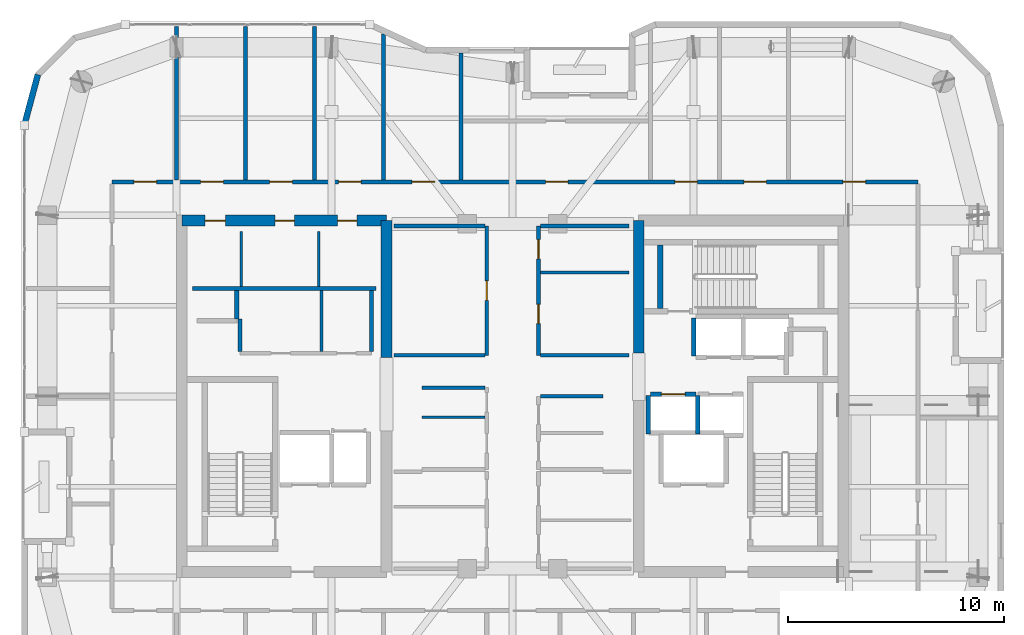
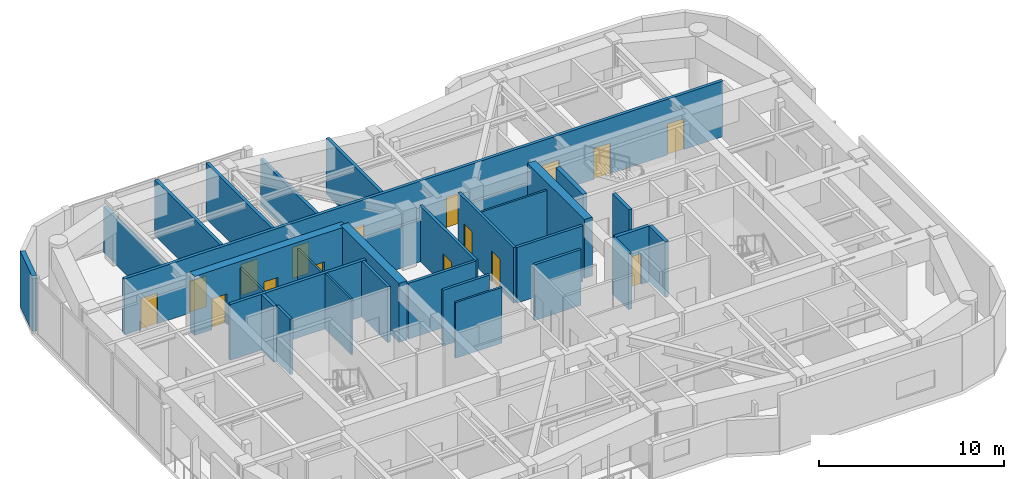
# One storey, part 12 of 16: 32 walls, 16 doors, 16 openings.
"""IFC4 building model written with IfcOpenShell, lengths in metres."""

from ifc_helpers import new_model, si_unit, direction, frame, frame_2d, origin, place, context, subcontext, project, spatial, rectangle, extrude, material, layer, layer_set, type_object, element, fill, save


model = new_model("IFC4")

# Units and contexts
model_context = context("Model", 3, precision=1e-05, world=origin(), true_north=direction((0.0, 1.0)))
body_context = subcontext(model_context, "Body", "Model", "MODEL_VIEW")
ifc_project = project(units=[si_unit("LENGTHUNIT", "METRE"), si_unit("AREAUNIT", "SQUARE_METRE"), si_unit("VOLUMEUNIT", "CUBIC_METRE"), si_unit("PLANEANGLEUNIT", "RADIAN"), si_unit("MASSUNIT", "GRAM", prefix="KILO")], contexts=[model_context])

# Site, building, storey
site_placement = place(None, origin())
site = spatial("IfcSite", under=ifc_project, at=site_placement, CompositionType="ELEMENT")
building_placement = place(site_placement, origin())
building = spatial("IfcBuilding", under=site, at=building_placement, Name="Kiyonajd Concourse Tower", CompositionType="ELEMENT")
storey_placement = place(building_placement, frame((0.0, 0.0, 346.5)))
storey = spatial("IfcBuildingStorey", under=building, at=storey_placement, Name="L87", CompositionType="ELEMENT", Elevation=346.5)

# Wall
ifc_material_1 = material(Name="Concrete C60/75", Category="concrete")
ifc_layer_1 = layer(ifc_material_1, 0.5)
ifc_layer_set_1 = layer_set([ifc_layer_1], Name="Concrete C60/75")
wall_type_1 = type_object("IfcWallType", Name="WL-CORE-500", PredefinedType="SHEAR", material=ifc_layer_set_1)
wall_1_placement = place(storey_placement, frame((42.14990234375, 37.800048828125, 0.0), z_axis=(0.0, 0.0, 1.0), x_axis=(0.0, 1.0, 0.0)))
element("IfcWall", 1, at=wall_1_placement, inside=storey, type_object=wall_type_1, Name="L87 West Core Inner North Shear Wall", PredefinedType="SHEAR", context=body_context, shape_type="SweptSolid", body=[
    extrude(rectangle(XDim=6.349853515625, YDim=0.5, at=frame_2d((3.1748046875, 0.0))), origin(), (0.0, 0.0, 1.0), 3.89990234375),
])

# Wall, openings, doors
wall_2_placement = place(storey_placement, frame((32.64990234375, 44.14990234375, 0.0), z_axis=(0.0, 0.0, 1.0), x_axis=(1.0, 0.0, 0.0)))
wall_2 = element("IfcWall", 2, at=wall_2_placement, inside=storey, type_object=wall_type_1, Name="L87 West Core North Shear Wall", PredefinedType="SHEAR", context=body_context, shape_type="SweptSolid", body=[
    extrude(rectangle(XDim=9.5, YDim=0.5, at=frame_2d((4.75, 0.0))), origin(), (0.0, 0.0, 1.0), 3.89990234375),
])
opening_1_placement = place(wall_2_placement, frame((1.074951171875, 0.0, 0.0)))
opening_1 = element("IfcOpeningElement", 3, at=opening_1_placement, cuts=wall_2, Name="Opening DI1", PredefinedType="OPENING", context=body_context, shape_type="SweptSolid", body=[
    extrude(rectangle(XDim=0.949951171875, YDim=2.0400390625, at=frame_2d((0.47509765625, 1.02001953125))), frame((0.0, 0.260009765625, 0.0), z_axis=(0.0, -1.0, 0.0), x_axis=(1.0, 0.0, 0.0)), (0.0, 0.0, 1.0), 0.52001953125),
])
opening_2_placement = place(wall_2_placement, frame((4.324951171875, 0.0, 0.0)))
opening_2 = element("IfcOpeningElement", 4, at=opening_2_placement, cuts=wall_2, Name="Opening DI2", PredefinedType="OPENING", context=body_context, shape_type="SweptSolid", body=[
    extrude(rectangle(XDim=0.89990234375, YDim=2.02001953125, at=frame_2d((0.449951171875, 1.010009765625))), frame((0.0, 0.260009765625, 0.0), z_axis=(0.0, -1.0, 0.0), x_axis=(1.0, 0.0, 0.0)), (0.0, 0.0, 1.0), 0.52001953125),
])
opening_3_placement = place(wall_2_placement, frame((7.22509765625, 0.0, 0.0)))
opening_3 = element("IfcOpeningElement", 5, at=opening_3_placement, cuts=wall_2, Name="Opening DI2", PredefinedType="OPENING", context=body_context, shape_type="SweptSolid", body=[
    extrude(rectangle(XDim=0.89990234375, YDim=2.02001953125, at=frame_2d((0.449951171875, 1.010009765625))), frame((0.0, 0.260009765625, 0.0), z_axis=(0.0, -1.0, 0.0), x_axis=(1.0, 0.0, 0.0)), (0.0, 0.0, 1.0), 0.52001953125),
])
ifc_material_2 = material(Name="Natural Oak Acoustic Timber Veneer", Category="wood")
door_type_1 = type_object("IfcDoorType", Name="DR-INT-900", OperationType="NOTDEFINED", PredefinedType="DOOR", material=ifc_material_2)
door_1_placement = place(opening_2_placement, origin())
door_1 = element("IfcDoor", 6, at=door_1_placement, inside=storey, type_object=door_type_1, Name="L87 Male Restroom Door", OperationType="SINGLE_SWING_RIGHT", OverallHeight=2.02001953125, OverallWidth=0.89990234375, PredefinedType="DOOR", context=body_context, shape_type="SweptSolid", body=[
    extrude(rectangle(XDim=0.89990234375, YDim=2.02001953125, at=frame_2d((0.449951171875, 1.010009765625))), frame((0.0, 0.02490234375, 0.0), z_axis=(0.0, -1.0, 0.0), x_axis=(1.0, 0.0, 0.0)), (0.0, 0.0, 1.0), 0.050048828125),
])
fill(opening_2, door_1)
door_2_placement = place(opening_3_placement, origin())
door_2 = element("IfcDoor", 7, at=door_2_placement, inside=storey, type_object=door_type_1, Name="L87 Female Restroom Door", OperationType="SINGLE_SWING_LEFT", OverallHeight=2.02001953125, OverallWidth=0.89990234375, PredefinedType="DOOR", context=body_context, shape_type="SweptSolid", body=[
    extrude(rectangle(XDim=0.89990234375, YDim=2.02001953125, at=frame_2d((0.449951171875, 1.010009765625))), frame((0.0, 0.02490234375, 0.0), z_axis=(0.0, -1.0, 0.0), x_axis=(1.0, 0.0, 0.0)), (0.0, 0.0, 1.0), 0.050048828125),
])
fill(opening_3, door_2)
door_type_2 = type_object("IfcDoorType", Name="DR-INT-950", OperationType="NOTDEFINED", PredefinedType="DOOR", material=ifc_material_2)
door_3_placement = place(opening_1_placement, origin())
door_3 = element("IfcDoor", 8, at=door_3_placement, inside=storey, type_object=door_type_2, Name="L87 Single User Accessible WC Door", OperationType="SINGLE_SWING_LEFT", OverallHeight=2.0400390625, OverallWidth=0.949951171875, PredefinedType="DOOR", context=body_context, shape_type="SweptSolid", body=[
    extrude(rectangle(XDim=0.949951171875, YDim=2.0400390625, at=frame_2d((0.47509765625, 1.02001953125))), frame((0.0, 0.02490234375, 0.0), z_axis=(0.0, -1.0, 0.0), x_axis=(1.0, 0.0, 0.0)), (0.0, 0.0, 1.0), 0.050048828125),
])
fill(opening_1, door_3)

# Walls
wall_3_placement = place(storey_placement, frame((53.85009765625, 38.0, 0.0), z_axis=(0.0, 0.0, 1.0), x_axis=(0.0, 1.0, 0.0)))
element("IfcWall", 9, at=wall_3_placement, inside=storey, type_object=wall_type_1, Name="L87 East Core Inner North Shear Wall", PredefinedType="SHEAR", context=body_context, shape_type="SweptSolid", body=[
    extrude(rectangle(XDim=6.14990234375, YDim=0.5, at=frame_2d((3.074951171875, 0.0))), origin(), (0.0, 0.0, 1.0), 3.89990234375),
])
ifc_material_3 = material(Name="Precast concrete C50/60", Category="concrete")
ifc_layer_2 = layer(ifc_material_3, 0.280029296875)
ifc_layer_set_2 = layer_set([ifc_layer_2], Name="Precast concrete C50/60")
wall_type_2 = type_object("IfcWallType", Name="WL-EXT-280", PredefinedType="SOLIDWALL", material=ifc_layer_set_2)
wall_4_placement = place(storey_placement, frame((25.340087890625, 48.58154296875, 0.0), z_axis=(0.0, 0.0, 1.0), x_axis=(0.258751159445, 0.965944013639, 0.0)))
element("IfcWall", 10, at=wall_4_placement, inside=storey, type_object=wall_type_2, Name="L87 Exterior Concrete Frame Wall 06", PredefinedType="SOLIDWALL", context=body_context, shape_type="SweptSolid", body=[
    extrude(rectangle(XDim=2.4287109375, YDim=0.280029296875, at=frame_2d((1.21435546875, 0.0))), origin(), (0.0, 0.0, 1.0), 3.679931640625),
])
ifc_material_4 = material(Name="Gypsum Board on Cold-Formed Steel Stud", Category="steel")
ifc_layer_3 = layer(ifc_material_4, 0.125)
ifc_layer_set_3 = layer_set([ifc_layer_3], Name="Gypsum Board on Cold-Formed Steel Stud")
wall_type_3 = type_object("IfcWallType", Name="WL-PART-125", PredefinedType="PARTITIONING", material=ifc_layer_set_3)
for number, where, z_axis, x_axis, name in (
    (11, (35.39990234375, 41.094970703125, 0.0), (0.0, 0.0, 1.0), (0.0, 1.0, 0.0), "L87 Interior Partition Wall"),
    (12, (39.0, 41.094970703125, 0.0), (0.0, 0.0, 1.0), (0.0, 1.0, 0.0), "L87 Interior Partition Wall"),
):
    element("IfcWall", number, at=place(storey_placement, frame(where, z_axis=z_axis, x_axis=x_axis)), inside=storey, type_object=wall_type_3, Name=name, PredefinedType="PARTITIONING", context=body_context, shape_type="SweptSolid", body=[
        extrude(rectangle(XDim=2.554931640625, YDim=0.125, at=frame_2d((1.27734375, 0.0))), origin(), (0.0, 0.0, 1.0), 3.679931640625),
    ])
wall_5_placement = place(storey_placement, frame((39.132080078125, 38.0869140625, 0.0), z_axis=(0.0, 0.0, 1.0), x_axis=(0.0, 1.0, 0.0)))
element("IfcWall", 13, at=wall_5_placement, inside=storey, type_object=wall_type_3, Name="L87 Interior Partition Wall", PredefinedType="PARTITIONING", context=body_context, shape_type="SweptSolid", body=[
    extrude(rectangle(XDim=2.81298828125, YDim=0.125, at=frame_2d((1.406494140625, 0.0))), origin(), (0.0, 0.0, 1.0), 3.679931640625),
])
wall_6_placement = place(storey_placement, frame((43.800048828125, 35.031982421875, 0.0), z_axis=(0.0, 0.0, 1.0), x_axis=(1.0, 0.0, 0.0)))
element("IfcWall", 14, at=wall_6_placement, inside=storey, type_object=wall_type_3, Name="L87 Interior Partition Wall", PredefinedType="PARTITIONING", context=body_context, shape_type="SweptSolid", body=[
    extrude(rectangle(XDim=2.912841796875, YDim=0.125, at=frame_2d((1.45654296875, 0.0))), origin(), (0.0, 0.0, 1.0), 3.679931640625),
])
wall_7_placement = place(storey_placement, frame((49.287109375, 41.739990234375, 0.0), z_axis=(0.0, 0.0, 1.0), x_axis=(1.0, 0.0, 0.0)))
element("IfcWall", 15, at=wall_7_placement, inside=storey, type_object=wall_type_3, Name="L87 Interior Partition Wall", PredefinedType="PARTITIONING", context=body_context, shape_type="SweptSolid", body=[
    extrude(rectangle(XDim=4.11279296875, YDim=0.125, at=frame_2d((2.056396484375, 0.0))), origin(), (0.0, 0.0, 1.0), 3.679931640625),
])
ifc_layer_4 = layer(ifc_material_4, 0.18994140625)
ifc_layer_set_4 = layer_set([ifc_layer_4], Name="Gypsum Board on Cold-Formed Steel Stud")
wall_type_4 = type_object("IfcWallType", Name="WL-PLMB-190", PredefinedType="PLUMBINGWALL", material=ifc_layer_set_4)
wall_8_placement = place(storey_placement, frame((33.14990234375, 41.0, 0.0), z_axis=(0.0, 0.0, 1.0), x_axis=(1.0, 0.0, 0.0)))
element("IfcWall", 16, at=wall_8_placement, inside=storey, type_object=wall_type_4, Name="L87 Interior Partition Wall", PredefinedType="PLUMBINGWALL", context=body_context, shape_type="SweptSolid", body=[
    extrude(rectangle(XDim=8.5, YDim=0.18994140625, at=frame_2d((4.25, 0.0))), origin(), (0.0, 0.0, 1.0), 3.679931640625),
])

# Wall, openings, doors
wall_9_placement = place(storey_placement, frame((29.39990234375, 45.949951171875, 0.0), z_axis=(0.0, 0.0, 1.0), x_axis=(1.0, 0.0, 0.0)))
wall_9 = element("IfcWall", 17, at=wall_9_placement, inside=storey, type_object=wall_type_4, Name="L87 Interior Partition Wall", PredefinedType="PLUMBINGWALL", context=body_context, shape_type="SweptSolid", body=[
    extrude(rectangle(XDim=37.400146484375, YDim=0.18994140625, at=frame_2d((18.7001953125, 0.0))), origin(), (0.0, 0.0, 1.0), 3.679931640625),
])
opening_4_placement = place(wall_9_placement, frame((1.02490234375, 0.0, 0.0)))
opening_4 = element("IfcOpeningElement", 18, at=opening_4_placement, cuts=wall_9, Name="Opening DF5", PredefinedType="OPENING", context=body_context, shape_type="SweptSolid", body=[
    extrude(rectangle(XDim=1.050048828125, YDim=2.0400390625, at=frame_2d((0.52490234375, 1.02001953125))), frame((0.0, 0.10498046875, 0.0), z_axis=(0.0, -1.0, 0.0), x_axis=(1.0, 0.0, 0.0)), (0.0, 0.0, 1.0), 0.2099609375),
])
opening_5_placement = place(wall_9_placement, frame((4.125, 0.0, 0.0)))
opening_5 = element("IfcOpeningElement", 19, at=opening_5_placement, cuts=wall_9, Name="Opening DF5", PredefinedType="OPENING", context=body_context, shape_type="SweptSolid", body=[
    extrude(rectangle(XDim=1.050048828125, YDim=2.0400390625, at=frame_2d((0.52490234375, 1.02001953125))), frame((0.0, 0.10498046875, 0.0), z_axis=(0.0, -1.0, 0.0), x_axis=(1.0, 0.0, 0.0)), (0.0, 0.0, 1.0), 0.2099609375),
])
opening_6_placement = place(wall_9_placement, frame((7.324951171875, 0.0, 0.0)))
opening_6 = element("IfcOpeningElement", 20, at=opening_6_placement, cuts=wall_9, Name="Opening DF5", PredefinedType="OPENING", context=body_context, shape_type="SweptSolid", body=[
    extrude(rectangle(XDim=1.050048828125, YDim=2.0400390625, at=frame_2d((0.52490234375, 1.02001953125))), frame((0.0, 0.10498046875, 0.0), z_axis=(0.0, -1.0, 0.0), x_axis=(1.0, 0.0, 0.0)), (0.0, 0.0, 1.0), 0.2099609375),
])
opening_7_placement = place(wall_9_placement, frame((10.52490234375, 0.0, 0.0)))
opening_7 = element("IfcOpeningElement", 21, at=opening_7_placement, cuts=wall_9, Name="Opening DF5", PredefinedType="OPENING", context=body_context, shape_type="SweptSolid", body=[
    extrude(rectangle(XDim=1.050048828125, YDim=2.0400390625, at=frame_2d((0.52490234375, 1.02001953125))), frame((0.0, 0.10498046875, 0.0), z_axis=(0.0, -1.0, 0.0), x_axis=(1.0, 0.0, 0.0)), (0.0, 0.0, 1.0), 0.2099609375),
])
opening_8_placement = place(wall_9_placement, frame((13.925048828125, 0.0, 0.0)))
opening_8 = element("IfcOpeningElement", 22, at=opening_8_placement, cuts=wall_9, Name="Opening DF5", PredefinedType="OPENING", context=body_context, shape_type="SweptSolid", body=[
    extrude(rectangle(XDim=1.050048828125, YDim=2.0400390625, at=frame_2d((0.52490234375, 1.02001953125))), frame((0.0, 0.10498046875, 0.0), z_axis=(0.0, -1.0, 0.0), x_axis=(1.0, 0.0, 0.0)), (0.0, 0.0, 1.0), 0.2099609375),
])
opening_9_placement = place(wall_9_placement, frame((20.125, 0.0, 0.0)))
opening_9 = element("IfcOpeningElement", 23, at=opening_9_placement, cuts=wall_9, Name="Opening DF5", PredefinedType="OPENING", context=body_context, shape_type="SweptSolid", body=[
    extrude(rectangle(XDim=1.050048828125, YDim=2.0400390625, at=frame_2d((0.52490234375, 1.02001953125))), frame((0.0, 0.10498046875, 0.0), z_axis=(0.0, -1.0, 0.0), x_axis=(1.0, 0.0, 0.0)), (0.0, 0.0, 1.0), 0.2099609375),
])
opening_10_placement = place(wall_9_placement, frame((26.125, 0.0, 0.0)))
opening_10 = element("IfcOpeningElement", 24, at=opening_10_placement, cuts=wall_9, Name="Opening DF5", PredefinedType="OPENING", context=body_context, shape_type="SweptSolid", body=[
    extrude(rectangle(XDim=1.050048828125, YDim=2.0400390625, at=frame_2d((0.52490234375, 1.02001953125))), frame((0.0, 0.10498046875, 0.0), z_axis=(0.0, -1.0, 0.0), x_axis=(1.0, 0.0, 0.0)), (0.0, 0.0, 1.0), 0.2099609375),
])
opening_11_placement = place(wall_9_placement, frame((29.324951171875, 0.0, 0.0)))
opening_11 = element("IfcOpeningElement", 25, at=opening_11_placement, cuts=wall_9, Name="Opening DF5", PredefinedType="OPENING", context=body_context, shape_type="SweptSolid", body=[
    extrude(rectangle(XDim=1.050048828125, YDim=2.0400390625, at=frame_2d((0.52490234375, 1.02001953125))), frame((0.0, 0.10498046875, 0.0), z_axis=(0.0, -1.0, 0.0), x_axis=(1.0, 0.0, 0.0)), (0.0, 0.0, 1.0), 0.2099609375),
])
opening_12_placement = place(wall_9_placement, frame((33.925048828125, 0.0, 0.0)))
opening_12 = element("IfcOpeningElement", 26, at=opening_12_placement, cuts=wall_9, Name="Opening DF5", PredefinedType="OPENING", context=body_context, shape_type="SweptSolid", body=[
    extrude(rectangle(XDim=1.050048828125, YDim=2.0400390625, at=frame_2d((0.52490234375, 1.02001953125))), frame((0.0, 0.10498046875, 0.0), z_axis=(0.0, -1.0, 0.0), x_axis=(1.0, 0.0, 0.0)), (0.0, 0.0, 1.0), 0.2099609375),
])
ifc_material_5 = material(Name="Brushed Stainless Steel Cab Assembly", Category="steel")
door_type_3 = type_object("IfcDoorType", Name="DR-FD45-1050", OperationType="NOTDEFINED", PredefinedType="DOOR", material=ifc_material_5)
door_4_placement = place(opening_4_placement, origin())
door_4 = element("IfcDoor", 27, at=door_4_placement, inside=storey, type_object=door_type_3, Name="L87 Interior Door", OperationType="SINGLE_SWING_RIGHT", OverallHeight=2.0400390625, OverallWidth=1.050048828125, PredefinedType="DOOR", context=body_context, shape_type="SweptSolid", body=[
    extrude(rectangle(XDim=1.050048828125, YDim=2.0400390625, at=frame_2d((0.52490234375, 1.02001953125))), frame((0.0, 0.02490234375, 0.0), z_axis=(0.0, -1.0, 0.0), x_axis=(1.0, 0.0, 0.0)), (0.0, 0.0, 1.0), 0.050048828125),
])
fill(opening_4, door_4)
door_5_placement = place(opening_5_placement, origin())
door_5 = element("IfcDoor", 28, at=door_5_placement, inside=storey, type_object=door_type_3, Name="L87 Interior Door", OperationType="SINGLE_SWING_LEFT", OverallHeight=2.0400390625, OverallWidth=1.050048828125, PredefinedType="DOOR", context=body_context, shape_type="SweptSolid", body=[
    extrude(rectangle(XDim=1.050048828125, YDim=2.0400390625, at=frame_2d((0.52490234375, 1.02001953125))), frame((0.0, 0.02490234375, 0.0), z_axis=(0.0, -1.0, 0.0), x_axis=(1.0, 0.0, 0.0)), (0.0, 0.0, 1.0), 0.050048828125),
])
fill(opening_5, door_5)
door_6_placement = place(opening_6_placement, origin())
door_6 = element("IfcDoor", 29, at=door_6_placement, inside=storey, type_object=door_type_3, Name="L87 Interior Door", OperationType="SINGLE_SWING_RIGHT", OverallHeight=2.0400390625, OverallWidth=1.050048828125, PredefinedType="DOOR", context=body_context, shape_type="SweptSolid", body=[
    extrude(rectangle(XDim=1.050048828125, YDim=2.0400390625, at=frame_2d((0.52490234375, 1.02001953125))), frame((0.0, 0.02490234375, 0.0), z_axis=(0.0, -1.0, 0.0), x_axis=(1.0, 0.0, 0.0)), (0.0, 0.0, 1.0), 0.050048828125),
])
fill(opening_6, door_6)
door_7_placement = place(opening_7_placement, origin())
door_7 = element("IfcDoor", 30, at=door_7_placement, inside=storey, type_object=door_type_3, Name="L87 Interior Door", OperationType="SINGLE_SWING_LEFT", OverallHeight=2.0400390625, OverallWidth=1.050048828125, PredefinedType="DOOR", context=body_context, shape_type="SweptSolid", body=[
    extrude(rectangle(XDim=1.050048828125, YDim=2.0400390625, at=frame_2d((0.52490234375, 1.02001953125))), frame((0.0, 0.02490234375, 0.0), z_axis=(0.0, -1.0, 0.0), x_axis=(1.0, 0.0, 0.0)), (0.0, 0.0, 1.0), 0.050048828125),
])
fill(opening_7, door_7)
door_8_placement = place(opening_8_placement, origin())
door_8 = element("IfcDoor", 31, at=door_8_placement, inside=storey, type_object=door_type_3, Name="L87 Interior Door", OperationType="SINGLE_SWING_RIGHT", OverallHeight=2.0400390625, OverallWidth=1.050048828125, PredefinedType="DOOR", context=body_context, shape_type="SweptSolid", body=[
    extrude(rectangle(XDim=1.050048828125, YDim=2.0400390625, at=frame_2d((0.52490234375, 1.02001953125))), frame((0.0, 0.02490234375, 0.0), z_axis=(0.0, -1.0, 0.0), x_axis=(1.0, 0.0, 0.0)), (0.0, 0.0, 1.0), 0.050048828125),
])
fill(opening_8, door_8)
door_9_placement = place(opening_9_placement, origin())
door_9 = element("IfcDoor", 32, at=door_9_placement, inside=storey, type_object=door_type_3, Name="L87 Interior Door", OperationType="SINGLE_SWING_RIGHT", OverallHeight=2.0400390625, OverallWidth=1.050048828125, PredefinedType="DOOR", context=body_context, shape_type="SweptSolid", body=[
    extrude(rectangle(XDim=1.050048828125, YDim=2.0400390625, at=frame_2d((0.52490234375, 1.02001953125))), frame((0.0, 0.02490234375, 0.0), z_axis=(0.0, -1.0, 0.0), x_axis=(1.0, 0.0, 0.0)), (0.0, 0.0, 1.0), 0.050048828125),
])
fill(opening_9, door_9)
door_10_placement = place(opening_10_placement, origin())
door_10 = element("IfcDoor", 33, at=door_10_placement, inside=storey, type_object=door_type_3, Name="L87 Interior Door", OperationType="SINGLE_SWING_LEFT", OverallHeight=2.0400390625, OverallWidth=1.050048828125, PredefinedType="DOOR", context=body_context, shape_type="SweptSolid", body=[
    extrude(rectangle(XDim=1.050048828125, YDim=2.0400390625, at=frame_2d((0.52490234375, 1.02001953125))), frame((0.0, 0.02490234375, 0.0), z_axis=(0.0, -1.0, 0.0), x_axis=(1.0, 0.0, 0.0)), (0.0, 0.0, 1.0), 0.050048828125),
])
fill(opening_10, door_10)
door_11_placement = place(opening_11_placement, origin())
door_11 = element("IfcDoor", 34, at=door_11_placement, inside=storey, type_object=door_type_3, Name="L87 Interior Door", OperationType="SINGLE_SWING_RIGHT", OverallHeight=2.0400390625, OverallWidth=1.050048828125, PredefinedType="DOOR", context=body_context, shape_type="SweptSolid", body=[
    extrude(rectangle(XDim=1.050048828125, YDim=2.0400390625, at=frame_2d((0.52490234375, 1.02001953125))), frame((0.0, 0.02490234375, 0.0), z_axis=(0.0, -1.0, 0.0), x_axis=(1.0, 0.0, 0.0)), (0.0, 0.0, 1.0), 0.050048828125),
])
fill(opening_11, door_11)
door_12_placement = place(opening_12_placement, origin())
door_12 = element("IfcDoor", 35, at=door_12_placement, inside=storey, type_object=door_type_3, Name="L87 Interior Door", OperationType="SINGLE_SWING_LEFT", OverallHeight=2.0400390625, OverallWidth=1.050048828125, PredefinedType="DOOR", context=body_context, shape_type="SweptSolid", body=[
    extrude(rectangle(XDim=1.050048828125, YDim=2.0400390625, at=frame_2d((0.52490234375, 1.02001953125))), frame((0.0, 0.02490234375, 0.0), z_axis=(0.0, -1.0, 0.0), x_axis=(1.0, 0.0, 0.0)), (0.0, 0.0, 1.0), 0.050048828125),
])
fill(opening_12, door_12)

# Walls
wall_10_placement = place(storey_placement, frame((32.39990234375, 46.047119140625, 0.0), z_axis=(0.0, 0.0, 1.0), x_axis=(0.0, 1.0, 0.0)))
element("IfcWall", 36, at=wall_10_placement, inside=storey, type_object=wall_type_4, Name="L87 Interior Partition Wall", PredefinedType="PLUMBINGWALL", context=body_context, shape_type="SweptSolid", body=[
    extrude(rectangle(XDim=7.10791015625, YDim=0.18994140625, at=frame_2d((3.553955078125, 0.0))), origin(), (0.0, 0.0, 1.0), 3.053955078125),
])
for number, where, z_axis, x_axis, name in (
    (37, (35.60009765625, 46.047119140625, 0.0), (0.0, 0.0, 1.0), (0.0, 1.0, 0.0), "L87 Interior Partition Wall"),
    (38, (38.800048828125, 46.047119140625, 0.0), (0.0, 0.0, 1.0), (0.0, 1.0, 0.0), "L87 Interior Partition Wall"),
):
    element("IfcWall", number, at=place(storey_placement, frame(where, z_axis=z_axis, x_axis=x_axis)), inside=storey, type_object=wall_type_4, Name=name, PredefinedType="PLUMBINGWALL", context=body_context, shape_type="SweptSolid", body=[
        extrude(rectangle(XDim=7.10791015625, YDim=0.18994140625, at=frame_2d((3.553955078125, 0.0))), origin(), (0.0, 0.0, 1.0), 3.679931640625),
    ])
wall_11_placement = place(storey_placement, frame((42.0, 46.047119140625, 0.0), z_axis=(0.0, 0.0, 1.0), x_axis=(0.0, 1.0, 0.0)))
element("IfcWall", 39, at=wall_11_placement, inside=storey, type_object=wall_type_4, Name="L87 Interior Partition Wall", PredefinedType="PLUMBINGWALL", context=body_context, shape_type="SweptSolid", body=[
    extrude(rectangle(XDim=6.769775390625, YDim=0.18994140625, at=frame_2d((3.384765625, 0.0))), origin(), (0.0, 0.0, 1.0), 3.04296875),
])
wall_12_placement = place(storey_placement, frame((45.60009765625, 46.047119140625, 0.0), z_axis=(0.0, 0.0, 1.0), x_axis=(0.0, 1.0, 0.0)))
element("IfcWall", 40, at=wall_12_placement, inside=storey, type_object=wall_type_4, Name="L87 Interior Partition Wall", PredefinedType="PLUMBINGWALL", context=body_context, shape_type="SweptSolid", body=[
    extrude(rectangle(XDim=5.8779296875, YDim=0.18994140625, at=frame_2d((2.93896484375, 0.0))), origin(), (0.0, 0.0, 1.0), 3.679931640625),
])
ifc_layer_5 = layer(ifc_material_4, 0.2099609375)
ifc_layer_set_5 = layer_set([ifc_layer_5], Name="Gypsum Board on Cold-Formed Steel Stud")
wall_type_5 = type_object("IfcWallType", Name="WL-SHAFT-210", PredefinedType="PARTITIONING", material=ifc_layer_set_5)
wall_13_placement = place(storey_placement, frame((35.199951171875, 39.580078125, 0.0), z_axis=(0.0, 0.0, 1.0), x_axis=(0.0, 1.0, 0.0)))
element("IfcWall", 41, at=wall_13_placement, inside=storey, type_object=wall_type_5, Name="L87 Shaft Enclosure Wall", PredefinedType="PARTITIONING", context=body_context, shape_type="SweptSolid", body=[
    extrude(rectangle(XDim=1.31982421875, YDim=0.2099609375, at=frame_2d((0.659912109375, 0.0))), origin(), (0.0, 0.0, 1.0), 3.679931640625),
])

# Wall, opening, door
wall_14_placement = place(storey_placement, frame((54.39990234375, 36.10009765625, 0.0), z_axis=(0.0, 0.0, 1.0), x_axis=(1.0, 0.0, 0.0)))
wall_14 = element("IfcWall", 42, at=wall_14_placement, inside=storey, type_object=wall_type_5, Name="L87 Shaft Enclosure Wall", PredefinedType="PARTITIONING", context=body_context, shape_type="SweptSolid", body=[
    extrude(rectangle(XDim=2.10009765625, YDim=0.2099609375, at=frame_2d((1.050048828125, 0.0))), origin(), (0.0, 0.0, 1.0), 3.679931640625),
])
opening_13_placement = place(wall_14_placement, frame((0.5, 0.0, 0.0)))
opening_13 = element("IfcOpeningElement", 43, at=opening_13_placement, cuts=wall_14, Name="Opening LD1", PredefinedType="OPENING", context=body_context, shape_type="SweptSolid", body=[
    extrude(rectangle(XDim=1.10009765625, YDim=2.0400390625, at=frame_2d((0.550048828125, 1.02001953125))), frame((0.0, 0.114990234375, 0.0), z_axis=(0.0, -1.0, 0.0), x_axis=(1.0, 0.0, 0.0)), (0.0, 0.0, 1.0), 0.22998046875),
])
door_type_4 = type_object("IfcDoorType", Name="DR-LD-1100", OperationType="DOUBLE_DOOR_SLIDING", PredefinedType="DOOR", material=ifc_material_5)
door_13_placement = place(opening_13_placement, origin())
door_13 = element("IfcDoor", 44, at=door_13_placement, inside=storey, type_object=door_type_4, Name="L87 Lift PL-H1 Sliding Landing Door", OperationType="DOUBLE_DOOR_SLIDING", OverallHeight=2.0400390625, OverallWidth=1.10009765625, PredefinedType="DOOR", context=body_context, shape_type="SweptSolid", body=[
    extrude(rectangle(XDim=1.10009765625, YDim=2.0400390625, at=frame_2d((0.550048828125, 1.02001953125))), frame((0.0, 0.02490234375, 0.0), z_axis=(0.0, -1.0, 0.0), x_axis=(1.0, 0.0, 0.0)), (0.0, 0.0, 1.0), 0.050048828125),
])
fill(opening_13, door_13)

# Walls
for number, where, z_axis, x_axis, name in (
    (45, (54.300048828125, 34.260009765625, 0.0), (0.0, 0.0, 1.0), (0.0, 1.0, 0.0), "L87 Shaft Enclosure Wall"),
    (46, (56.60009765625, 34.260009765625, 0.0), (0.0, 0.0, 1.0), (0.0, 1.0, 0.0), "L87 Shaft Enclosure Wall"),
):
    element("IfcWall", number, at=place(storey_placement, frame(where, z_axis=z_axis, x_axis=x_axis)), inside=storey, type_object=wall_type_5, Name=name, PredefinedType="PARTITIONING", context=body_context, shape_type="SweptSolid", body=[
        extrude(rectangle(XDim=1.780029296875, YDim=0.2099609375, at=frame_2d((0.89013671875, 0.0))), origin(), (0.0, 0.0, 1.0), 3.679931640625),
    ])
wall_15_placement = place(storey_placement, frame((56.39990234375, 37.860107421875, 0.0), z_axis=(0.0, 0.0, 1.0), x_axis=(0.0, 1.0, 0.0)))
element("IfcWall", 47, at=wall_15_placement, inside=storey, type_object=wall_type_5, Name="L87 Shaft Enclosure Wall", PredefinedType="PARTITIONING", context=body_context, shape_type="SweptSolid", body=[
    extrude(rectangle(XDim=1.77978515625, YDim=0.2099609375, at=frame_2d((0.889892578125, 0.0))), origin(), (0.0, 0.0, 1.0), 3.679931640625),
])
ifc_layer_6 = layer(ifc_material_4, 0.169921875)
ifc_layer_set_6 = layer_set([ifc_layer_6], Name="Gypsum Board on Cold-Formed Steel Stud")
wall_type_6 = type_object("IfcWallType", Name="WL-SMK-170", PredefinedType="PARTITIONING", material=ifc_layer_set_6)
wall_16_placement = place(storey_placement, frame((35.35009765625, 38.0869140625, 0.0), z_axis=(0.0, 0.0, 1.0), x_axis=(0.0, 1.0, 0.0)))
element("IfcWall", 48, at=wall_16_placement, inside=storey, type_object=wall_type_6, Name="L87 Interior Partition Wall", PredefinedType="PARTITIONING", context=body_context, shape_type="SweptSolid", body=[
    extrude(rectangle(XDim=1.4931640625, YDim=0.169921875, at=frame_2d((0.74658203125, 0.0))), origin(), (0.0, 0.0, 1.0), 3.679931640625),
])
wall_17_placement = place(storey_placement, frame((41.449951171875, 38.0869140625, 0.0), z_axis=(0.0, 0.0, 1.0), x_axis=(0.0, 1.0, 0.0)))
element("IfcWall", 49, at=wall_17_placement, inside=storey, type_object=wall_type_6, Name="L87 Interior Partition Wall", PredefinedType="PARTITIONING", context=body_context, shape_type="SweptSolid", body=[
    extrude(rectangle(XDim=2.81298828125, YDim=0.169921875, at=frame_2d((1.406494140625, 0.0))), origin(), (0.0, 0.0, 1.0), 3.679931640625),
])
for number, where, z_axis, x_axis, name in (
    (50, (43.800048828125, 36.39990234375, 0.0), (0.0, 0.0, 1.0), (1.0, 0.0, 0.0), "L87 Interior Partition Wall"),
    (51, (49.287109375, 36.0, 0.0), (0.0, 0.0, 1.0), (1.0, 0.0, 0.0), "L87 Interior Partition Wall"),
):
    element("IfcWall", number, at=place(storey_placement, frame(where, z_axis=z_axis, x_axis=x_axis)), inside=storey, type_object=wall_type_6, Name=name, PredefinedType="PARTITIONING", context=body_context, shape_type="SweptSolid", body=[
        extrude(rectangle(XDim=2.912841796875, YDim=0.169921875, at=frame_2d((1.45654296875, 0.0))), origin(), (0.0, 0.0, 1.0), 3.679931640625),
    ])

# Wall, opening, door
wall_18_placement = place(storey_placement, frame((46.800048828125, 37.89990234375, 0.0), z_axis=(0.0, 0.0, 1.0), x_axis=(0.0, 1.0, 0.0)))
wall_18 = element("IfcWall", 52, at=wall_18_placement, inside=storey, type_object=wall_type_6, Name="L87 Interior Partition Wall", PredefinedType="PARTITIONING", context=body_context, shape_type="SweptSolid", body=[
    extrude(rectangle(XDim=6.0, YDim=0.169921875, at=frame_2d((3.0, 0.0))), origin(), (0.0, 0.0, 1.0), 3.679931640625),
])
opening_14_placement = place(wall_18_placement, frame((2.550048828125, 0.0, 0.0)))
opening_14 = element("IfcOpeningElement", 53, at=opening_14_placement, cuts=wall_18, Name="Opening DI2", PredefinedType="OPENING", context=body_context, shape_type="SweptSolid", body=[
    extrude(rectangle(XDim=0.89990234375, YDim=2.02001953125, at=frame_2d((0.449951171875, 1.010009765625))), frame((0.0, 0.094970703125, 0.0), z_axis=(0.0, -1.0, 0.0), x_axis=(1.0, 0.0, 0.0)), (0.0, 0.0, 1.0), 0.18994140625),
])
door_14_placement = place(opening_14_placement, origin())
door_14 = element("IfcDoor", 54, at=door_14_placement, inside=storey, type_object=door_type_1, Name="L87 Interior Door", OperationType="SINGLE_SWING_RIGHT", OverallHeight=2.02001953125, OverallWidth=0.89990234375, PredefinedType="DOOR", context=body_context, shape_type="SweptSolid", body=[
    extrude(rectangle(XDim=0.89990234375, YDim=2.02001953125, at=frame_2d((0.449951171875, 1.010009765625))), frame((0.0, 0.02490234375, 0.0), z_axis=(0.0, -1.0, 0.0), x_axis=(1.0, 0.0, 0.0)), (0.0, 0.0, 1.0), 0.050048828125),
])
fill(opening_14, door_14)

# Walls
wall_19_placement = place(storey_placement, frame((42.5, 37.89990234375, 0.0), z_axis=(0.0, 0.0, 1.0), x_axis=(1.0, 0.0, 0.0)))
element("IfcWall", 55, at=wall_19_placement, inside=storey, type_object=wall_type_6, Name="L87 Interior Partition Wall", PredefinedType="PARTITIONING", context=body_context, shape_type="SweptSolid", body=[
    extrude(rectangle(XDim=4.212890625, YDim=0.169921875, at=frame_2d((2.1064453125, 0.0))), origin(), (0.0, 0.0, 1.0), 3.679931640625),
])
wall_20_placement = place(storey_placement, frame((42.5, 43.89990234375, 0.0), z_axis=(0.0, 0.0, 1.0), x_axis=(1.0, 0.0, 0.0)))
element("IfcWall", 56, at=wall_20_placement, inside=storey, type_object=wall_type_6, Name="L87 Interior Partition Wall", PredefinedType="PARTITIONING", context=body_context, shape_type="SweptSolid", body=[
    extrude(rectangle(XDim=4.212890625, YDim=0.169921875, at=frame_2d((2.1064453125, 0.0))), origin(), (0.0, 0.0, 1.0), 2.764892578125),
])

# Wall, openings, doors
wall_21_placement = place(storey_placement, frame((49.199951171875, 37.89990234375, 0.0), z_axis=(0.0, 0.0, 1.0), x_axis=(0.0, 1.0, 0.0)))
wall_21 = element("IfcWall", 57, at=wall_21_placement, inside=storey, type_object=wall_type_6, Name="L87 Interior Partition Wall", PredefinedType="PARTITIONING", context=body_context, shape_type="SweptSolid", body=[
    extrude(rectangle(XDim=6.0, YDim=0.169921875, at=frame_2d((3.0, 0.0))), origin(), (0.0, 0.0, 1.0), 3.679931640625),
])
opening_15_placement = place(wall_21_placement, frame((1.469970703125, 0.0, 0.0)))
opening_15 = element("IfcOpeningElement", 58, at=opening_15_placement, cuts=wall_21, Name="Opening DF4", PredefinedType="OPENING", context=body_context, shape_type="SweptSolid", body=[
    extrude(rectangle(XDim=0.89990234375, YDim=2.02001953125, at=frame_2d((0.449951171875, 1.010009765625))), frame((0.0, 0.094970703125, 0.0), z_axis=(0.0, -1.0, 0.0), x_axis=(1.0, 0.0, 0.0)), (0.0, 0.0, 1.0), 0.18994140625),
])
opening_16_placement = place(wall_21_placement, frame((4.469970703125, 0.0, 0.0)))
opening_16 = element("IfcOpeningElement", 59, at=opening_16_placement, cuts=wall_21, Name="Opening DF4", PredefinedType="OPENING", context=body_context, shape_type="SweptSolid", body=[
    extrude(rectangle(XDim=0.89990234375, YDim=2.02001953125, at=frame_2d((0.449951171875, 1.010009765625))), frame((0.0, 0.094970703125, 0.0), z_axis=(0.0, -1.0, 0.0), x_axis=(1.0, 0.0, 0.0)), (0.0, 0.0, 1.0), 0.18994140625),
])
door_type_5 = type_object("IfcDoorType", Name="DR-FD60-900", OperationType="NOTDEFINED", PredefinedType="DOOR", material=ifc_material_5)
door_15_placement = place(opening_15_placement, origin())
door_15 = element("IfcDoor", 60, at=door_15_placement, inside=storey, type_object=door_type_5, Name="L87 Interior Door", OperationType="SINGLE_SWING_LEFT", OverallHeight=2.02001953125, OverallWidth=0.89990234375, PredefinedType="DOOR", context=body_context, shape_type="SweptSolid", body=[
    extrude(rectangle(XDim=0.89990234375, YDim=2.02001953125, at=frame_2d((0.449951171875, 1.010009765625))), frame((0.0, 0.02490234375, 0.0), z_axis=(0.0, -1.0, 0.0), x_axis=(1.0, 0.0, 0.0)), (0.0, 0.0, 1.0), 0.050048828125),
])
fill(opening_15, door_15)
door_16_placement = place(opening_16_placement, origin())
door_16 = element("IfcDoor", 61, at=door_16_placement, inside=storey, type_object=door_type_5, Name="L87 Interior Door", OperationType="SINGLE_SWING_RIGHT", OverallHeight=2.02001953125, OverallWidth=0.89990234375, PredefinedType="DOOR", context=body_context, shape_type="SweptSolid", body=[
    extrude(rectangle(XDim=0.89990234375, YDim=2.02001953125, at=frame_2d((0.449951171875, 1.010009765625))), frame((0.0, 0.02490234375, 0.0), z_axis=(0.0, -1.0, 0.0), x_axis=(1.0, 0.0, 0.0)), (0.0, 0.0, 1.0), 0.050048828125),
])
fill(opening_16, door_16)

# Walls
wall_22_placement = place(storey_placement, frame((49.287109375, 37.89990234375, 0.0), z_axis=(0.0, 0.0, 1.0), x_axis=(1.0, 0.0, 0.0)))
element("IfcWall", 62, at=wall_22_placement, inside=storey, type_object=wall_type_6, Name="L87 Interior Partition Wall", PredefinedType="PARTITIONING", context=body_context, shape_type="SweptSolid", body=[
    extrude(rectangle(XDim=4.11279296875, YDim=0.169921875, at=frame_2d((2.056396484375, 0.0))), origin(), (0.0, 0.0, 1.0), 3.679931640625),
])
wall_23_placement = place(storey_placement, frame((49.287109375, 43.89990234375, 0.0), z_axis=(0.0, 0.0, 1.0), x_axis=(1.0, 0.0, 0.0)))
element("IfcWall", 63, at=wall_23_placement, inside=storey, type_object=wall_type_6, Name="L87 Interior Partition Wall", PredefinedType="PARTITIONING", context=body_context, shape_type="SweptSolid", body=[
    extrude(rectangle(XDim=4.11279296875, YDim=0.169921875, at=frame_2d((2.056396484375, 0.0))), origin(), (0.0, 0.0, 1.0), 2.764892578125),
])
ifc_material_6 = material(Name="Concrete C50/60", Category="concrete")
ifc_layer_7 = layer(ifc_material_6, 0.260009765625)
ifc_layer_set_7 = layer_set([ifc_layer_7], Name="Concrete C50/60")
wall_type_7 = type_object("IfcWallType", Name="WL-STAIR-260", PredefinedType="SHEAR", material=ifc_layer_set_7)
wall_24_placement = place(storey_placement, frame((54.85009765625, 40.080078125, 0.0), z_axis=(0.0, 0.0, 1.0), x_axis=(0.0, 1.0, 0.0)))
element("IfcWall", 64, at=wall_24_placement, inside=storey, type_object=wall_type_7, Name="L87 Stair ST3 Structural West Wall", PredefinedType="SHEAR", context=body_context, shape_type="SweptSolid", body=[
    extrude(rectangle(XDim=2.93994140625, YDim=0.260009765625, at=frame_2d((1.469970703125, 0.0))), origin(), (0.0, 0.0, 1.0), 3.89990234375),
])

save(model, "model.ifc")
